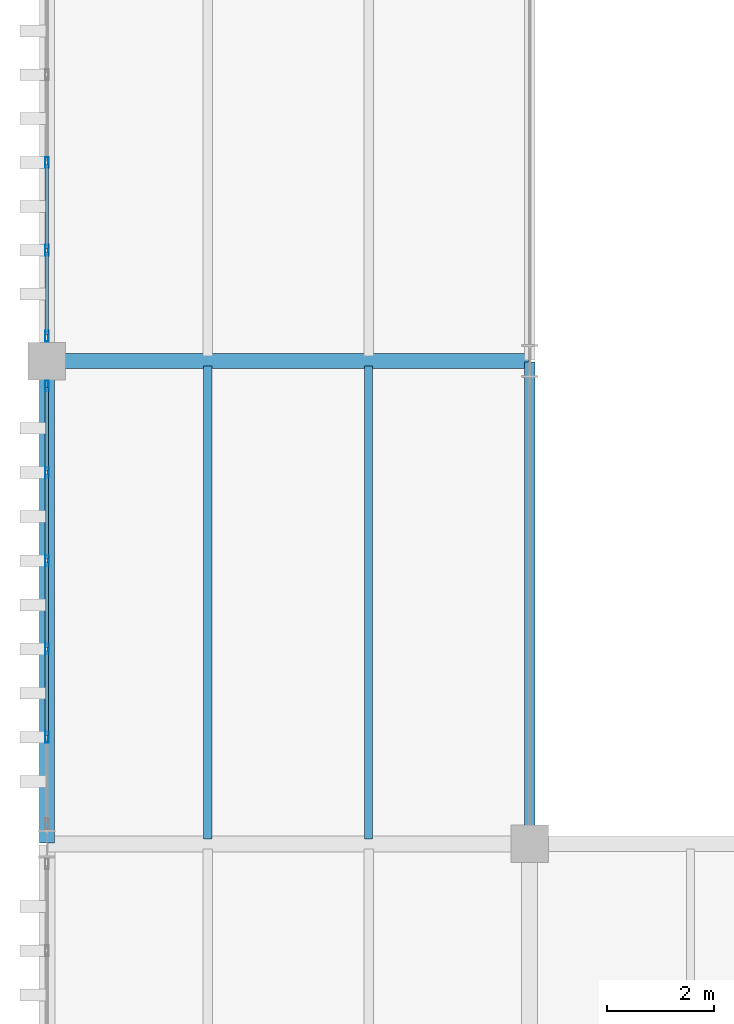
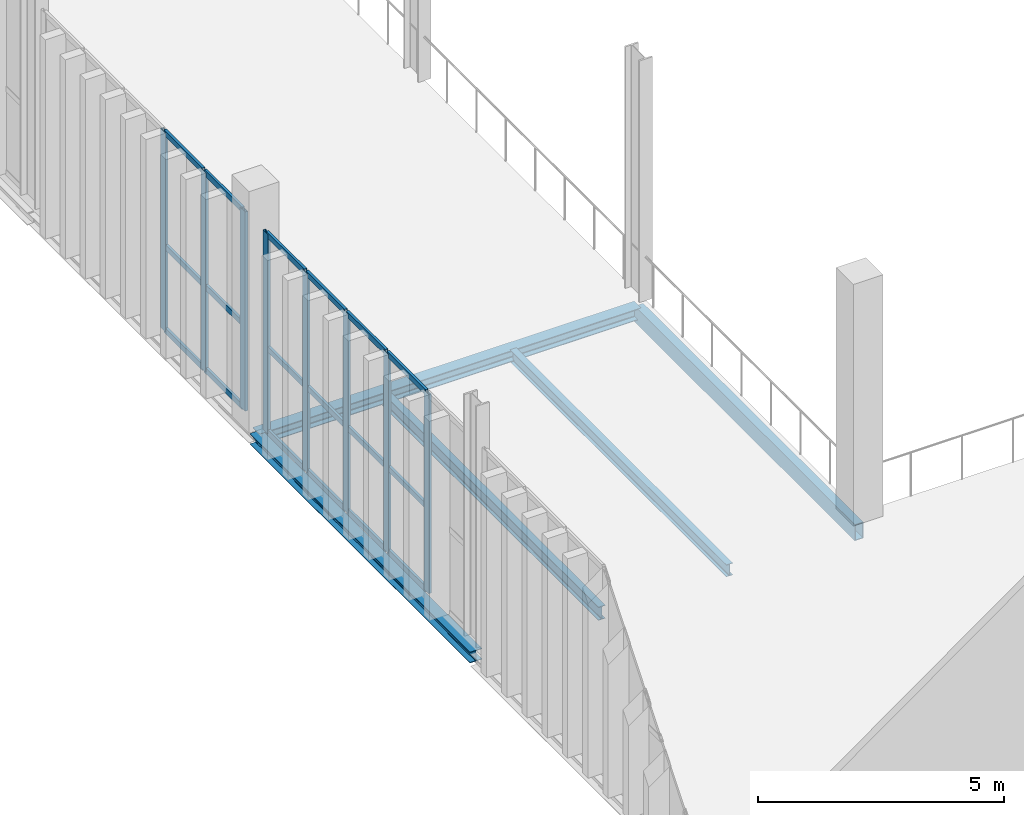
# One storey, part 73 of 211: 26 members, 5 beams, 2 elements without a shape of their own.
"""IFC4 building model written with IfcOpenShell, lengths in metres."""

from ifc_helpers import new_model, si_unit, direction, frame, origin, origin_2d, place, context, subcontext, project, spatial, hollow_rectangle, i_section, extrude, material, layer, layer_set, material_profile, profile_set, type_object, element, aggregate, save


model = new_model("IFC4")

# Units and contexts
model_context = context("Model", 3, precision=1e-05, world=origin(), true_north=direction((0.0, 1.0)))
body_context = subcontext(model_context, "Body", "Model", "MODEL_VIEW")
ifc_project = project(units=[si_unit("LENGTHUNIT", "METRE"), si_unit("AREAUNIT", "SQUARE_METRE"), si_unit("VOLUMEUNIT", "CUBIC_METRE"), si_unit("PLANEANGLEUNIT", "RADIAN"), si_unit("MASSUNIT", "GRAM", prefix="KILO")], contexts=[model_context])

# Site, building, storey
site_placement = place(None, origin())
site = spatial("IfcSite", under=ifc_project, at=site_placement, CompositionType="ELEMENT")
building_placement = place(site_placement, origin())
building = spatial("IfcBuilding", under=site, at=building_placement, Name="Barlavento Convention Centre", CompositionType="ELEMENT")
storey_placement = place(building_placement, frame((0.0, 0.0, 6.0)))
storey = spatial("IfcBuildingStorey", under=building, at=storey_placement, Name="L01", CompositionType="ELEMENT", Elevation=6.0)

# Curtain wall, members
ifc_material_1 = material(Name="Powder-coated aluminium and Low-E glass", Category="aluminium")
ifc_layer = layer(ifc_material_1, 0.179931640625)
ifc_layer_set = layer_set([ifc_layer], Name="ARC-CW-EXH-L01")
curtain_wall_type = type_object("IfcCurtainWallType", Name="ARC-CW-EXH-L01", PredefinedType="NOTDEFINED", material=ifc_layer_set)
curtain_wall_1_placement = place(storey_placement, origin())
curtain_wall_1 = element("IfcCurtainWall", 1, at=curtain_wall_1_placement, inside=storey, type_object=curtain_wall_type, Name="L01 unitised curtain wall CW04", PredefinedType="NOTDEFINED")
ifc_material_2 = material(Name="Powder-coated aluminium", Category="aluminium")
ifc_material_profile_1 = material_profile(ifc_material_2, hollow_rectangle(XDim=0.06494140625, YDim=0.199951171875, WallThickness=0.0048828125, at=origin_2d()), Name="AL-MULL 65x200x5")
ifc_profile_set_1 = profile_set([ifc_material_profile_1], Name="Powder-coated aluminium")
member_type_1 = type_object("IfcMemberType", Name="ARC-CWM-65X200", PredefinedType="MULLION", material=ifc_profile_set_1)
member_1_placement = place(storey_placement, frame((0.0, 64.987548828125, 0.0), z_axis=(0.0, 0.0, 1.0), x_axis=(-1.0, 0.0, 0.0)))
member_1 = element("IfcMember", 2, at=member_1_placement, type_object=member_type_1, Name="CW04 mullion 2", PredefinedType="MULLION", context=body_context, shape_type="SweptSolid", body=[
    extrude(hollow_rectangle(XDim=0.06494140625, YDim=0.199951171875, WallThickness=0.0048828125, at=origin_2d()), origin(), (0.0, 0.0, 1.0), 4.949951171875),
])
member_2_placement = place(storey_placement, frame((0.0, 66.63330078125, 0.0), z_axis=(0.0, 0.0, 1.0), x_axis=(-1.0, 0.0, 0.0)))
member_2 = element("IfcMember", 3, at=member_2_placement, type_object=member_type_1, Name="CW04 mullion 3", PredefinedType="MULLION", context=body_context, shape_type="SweptSolid", body=[
    extrude(hollow_rectangle(XDim=0.06494140625, YDim=0.199951171875, WallThickness=0.0048828125, at=origin_2d()), origin(), (0.0, 0.0, 1.0), 4.949951171875),
])
member_3_placement = place(storey_placement, frame((0.0, 68.27880859375, 0.0), z_axis=(0.0, 0.0, 1.0), x_axis=(-1.0, 0.0, 0.0)))
member_3 = element("IfcMember", 4, at=member_3_placement, type_object=member_type_1, Name="CW04 mullion 4", PredefinedType="MULLION", context=body_context, shape_type="SweptSolid", body=[
    extrude(hollow_rectangle(XDim=0.06494140625, YDim=0.199951171875, WallThickness=0.0048828125, at=origin_2d()), origin(), (0.0, 0.0, 1.0), 4.949951171875),
])
member_4_placement = place(storey_placement, frame((0.0, 69.92431640625, 0.0), z_axis=(0.0, 0.0, 1.0), x_axis=(-1.0, 0.0, 0.0)))
member_4 = element("IfcMember", 5, at=member_4_placement, type_object=member_type_1, Name="CW04 mullion 5", PredefinedType="MULLION", context=body_context, shape_type="SweptSolid", body=[
    extrude(hollow_rectangle(XDim=0.06494140625, YDim=0.199951171875, WallThickness=0.0048828125, at=origin_2d()), origin(), (0.0, 0.0, 1.0), 4.949951171875),
])
member_5_placement = place(storey_placement, frame((0.0, 71.53759765625, 0.0), z_axis=(0.0, 0.0, 1.0), x_axis=(-1.0, 0.0, 0.0)))
member_5 = element("IfcMember", 6, at=member_5_placement, type_object=member_type_1, Name="CW04 mullion 6", PredefinedType="MULLION", context=body_context, shape_type="SweptSolid", body=[
    extrude(hollow_rectangle(XDim=0.06494140625, YDim=0.199951171875, WallThickness=0.0048828125, at=origin_2d()), origin(), (0.0, 0.0, 1.0), 4.949951171875),
])

curtain_wall_2_placement = place(storey_placement, origin())
curtain_wall_2 = element("IfcCurtainWall", 7, at=curtain_wall_2_placement, inside=storey, type_object=curtain_wall_type, Name="L01 unitised curtain wall CW04", PredefinedType="NOTDEFINED")
member_6_placement = place(storey_placement, frame((0.0, 72.46240234375, 0.0), z_axis=(0.0, 0.0, 1.0), x_axis=(-1.0, 0.0, 0.0)))
member_6 = element("IfcMember", 8, at=member_6_placement, type_object=member_type_1, Name="CW04 mullion 1", PredefinedType="MULLION", context=body_context, shape_type="SweptSolid", body=[
    extrude(hollow_rectangle(XDim=0.06494140625, YDim=0.199951171875, WallThickness=0.0048828125, at=origin_2d()), origin(), (0.0, 0.0, 1.0), 4.949951171875),
])
member_7_placement = place(storey_placement, frame((0.0, 74.06591796875, 0.0), z_axis=(0.0, 0.0, 1.0), x_axis=(-1.0, 0.0, 0.0)))
member_7 = element("IfcMember", 9, at=member_7_placement, type_object=member_type_1, Name="CW04 mullion 2", PredefinedType="MULLION", context=body_context, shape_type="SweptSolid", body=[
    extrude(hollow_rectangle(XDim=0.06494140625, YDim=0.199951171875, WallThickness=0.0048828125, at=origin_2d()), origin(), (0.0, 0.0, 1.0), 4.949951171875),
])
member_8_placement = place(storey_placement, frame((0.0, 75.701904296875, 0.0), z_axis=(0.0, 0.0, 1.0), x_axis=(-1.0, 0.0, 0.0)))
member_8 = element("IfcMember", 10, at=member_8_placement, type_object=member_type_1, Name="CW04 mullion 3", PredefinedType="MULLION", context=body_context, shape_type="SweptSolid", body=[
    extrude(hollow_rectangle(XDim=0.06494140625, YDim=0.199951171875, WallThickness=0.0048828125, at=origin_2d()), origin(), (0.0, 0.0, 1.0), 4.949951171875),
])

# Member
ifc_material_profile_2 = material_profile(ifc_material_2, hollow_rectangle(XDim=0.06005859375, YDim=0.139892578125, WallThickness=0.00390625, at=origin_2d()), Name="AL-TRAN 60x140x4")
ifc_profile_set_2 = profile_set([ifc_material_profile_2], Name="Powder-coated aluminium")
member_type_2 = type_object("IfcMemberType", Name="ARC-CWT-60X140", PredefinedType="USERDEFINED", material=ifc_profile_set_2)
member_9_placement = place(storey_placement, frame((0.0, 65.02001953125, 0.030029296875), z_axis=(0.0, 1.0, 0.0), x_axis=(-1.0, 0.0, 0.0)))
member_9 = element("IfcMember", 11, at=member_9_placement, type_object=member_type_2, Name="CW04 transom 2.1", ObjectType="TRANSOM", PredefinedType="USERDEFINED", context=body_context, shape_type="SweptSolid", body=[
    extrude(hollow_rectangle(XDim=0.06005859375, YDim=0.139892578125, WallThickness=0.00390625, at=origin_2d()), origin(), (0.0, 0.0, 1.0), 1.58056640625),
])

member_10_placement = place(storey_placement, frame((0.0, 65.02001953125, 2.10009765625), z_axis=(0.0, 1.0, 0.0), x_axis=(-1.0, 0.0, 0.0)))
member_10 = element("IfcMember", 12, at=member_10_placement, type_object=member_type_2, Name="CW04 transom 2.2", ObjectType="TRANSOM", PredefinedType="USERDEFINED", context=body_context, shape_type="SweptSolid", body=[
    extrude(hollow_rectangle(XDim=0.06005859375, YDim=0.139892578125, WallThickness=0.00390625, at=origin_2d()), origin(), (0.0, 0.0, 1.0), 1.58056640625),
])

member_11_placement = place(storey_placement, frame((0.0, 65.02001953125, 4.919921875), z_axis=(0.0, 1.0, 0.0), x_axis=(-1.0, 0.0, 0.0)))
member_11 = element("IfcMember", 13, at=member_11_placement, type_object=member_type_2, Name="CW04 transom 2.3", ObjectType="TRANSOM", PredefinedType="USERDEFINED", context=body_context, shape_type="SweptSolid", body=[
    extrude(hollow_rectangle(XDim=0.06005859375, YDim=0.139892578125, WallThickness=0.00390625, at=origin_2d()), origin(), (0.0, 0.0, 1.0), 1.58056640625),
])

member_12_placement = place(storey_placement, frame((0.0, 66.665771484375, 0.030029296875), z_axis=(0.0, 1.0, 0.0), x_axis=(-1.0, 0.0, 0.0)))
member_12 = element("IfcMember", 14, at=member_12_placement, type_object=member_type_2, Name="CW04 transom 3.1", ObjectType="TRANSOM", PredefinedType="USERDEFINED", context=body_context, shape_type="SweptSolid", body=[
    extrude(hollow_rectangle(XDim=0.06005859375, YDim=0.139892578125, WallThickness=0.00390625, at=origin_2d()), origin(), (0.0, 0.0, 1.0), 1.58056640625),
])

member_13_placement = place(storey_placement, frame((0.0, 66.665771484375, 2.10009765625), z_axis=(0.0, 1.0, 0.0), x_axis=(-1.0, 0.0, 0.0)))
member_13 = element("IfcMember", 15, at=member_13_placement, type_object=member_type_2, Name="CW04 transom 3.2", ObjectType="TRANSOM", PredefinedType="USERDEFINED", context=body_context, shape_type="SweptSolid", body=[
    extrude(hollow_rectangle(XDim=0.06005859375, YDim=0.139892578125, WallThickness=0.00390625, at=origin_2d()), origin(), (0.0, 0.0, 1.0), 1.58056640625),
])

member_14_placement = place(storey_placement, frame((0.0, 66.665771484375, 4.919921875), z_axis=(0.0, 1.0, 0.0), x_axis=(-1.0, 0.0, 0.0)))
member_14 = element("IfcMember", 16, at=member_14_placement, type_object=member_type_2, Name="CW04 transom 3.3", ObjectType="TRANSOM", PredefinedType="USERDEFINED", context=body_context, shape_type="SweptSolid", body=[
    extrude(hollow_rectangle(XDim=0.06005859375, YDim=0.139892578125, WallThickness=0.00390625, at=origin_2d()), origin(), (0.0, 0.0, 1.0), 1.58056640625),
])

member_15_placement = place(storey_placement, frame((0.0, 68.311279296875, 0.030029296875), z_axis=(0.0, 1.0, 0.0), x_axis=(-1.0, 0.0, 0.0)))
member_15 = element("IfcMember", 17, at=member_15_placement, type_object=member_type_2, Name="CW04 transom 4.1", ObjectType="TRANSOM", PredefinedType="USERDEFINED", context=body_context, shape_type="SweptSolid", body=[
    extrude(hollow_rectangle(XDim=0.06005859375, YDim=0.139892578125, WallThickness=0.00390625, at=origin_2d()), origin(), (0.0, 0.0, 1.0), 1.58056640625),
])

member_16_placement = place(storey_placement, frame((0.0, 68.311279296875, 2.10009765625), z_axis=(0.0, 1.0, 0.0), x_axis=(-1.0, 0.0, 0.0)))
member_16 = element("IfcMember", 18, at=member_16_placement, type_object=member_type_2, Name="CW04 transom 4.2", ObjectType="TRANSOM", PredefinedType="USERDEFINED", context=body_context, shape_type="SweptSolid", body=[
    extrude(hollow_rectangle(XDim=0.06005859375, YDim=0.139892578125, WallThickness=0.00390625, at=origin_2d()), origin(), (0.0, 0.0, 1.0), 1.58056640625),
])

member_17_placement = place(storey_placement, frame((0.0, 68.311279296875, 4.919921875), z_axis=(0.0, 1.0, 0.0), x_axis=(-1.0, 0.0, 0.0)))
member_17 = element("IfcMember", 19, at=member_17_placement, type_object=member_type_2, Name="CW04 transom 4.3", ObjectType="TRANSOM", PredefinedType="USERDEFINED", context=body_context, shape_type="SweptSolid", body=[
    extrude(hollow_rectangle(XDim=0.06005859375, YDim=0.139892578125, WallThickness=0.00390625, at=origin_2d()), origin(), (0.0, 0.0, 1.0), 1.58056640625),
])

member_18_placement = place(storey_placement, frame((0.0, 69.956787109375, 0.030029296875), z_axis=(0.0, 1.0, 0.0), x_axis=(-1.0, 0.0, 0.0)))
member_18 = element("IfcMember", 20, at=member_18_placement, type_object=member_type_2, Name="CW04 transom 5.1", ObjectType="TRANSOM", PredefinedType="USERDEFINED", context=body_context, shape_type="SweptSolid", body=[
    extrude(hollow_rectangle(XDim=0.06005859375, YDim=0.139892578125, WallThickness=0.00390625, at=origin_2d()), origin(), (0.0, 0.0, 1.0), 1.548095703125),
])

member_19_placement = place(storey_placement, frame((0.0, 69.956787109375, 2.10009765625), z_axis=(0.0, 1.0, 0.0), x_axis=(-1.0, 0.0, 0.0)))
member_19 = element("IfcMember", 21, at=member_19_placement, type_object=member_type_2, Name="CW04 transom 5.2", ObjectType="TRANSOM", PredefinedType="USERDEFINED", context=body_context, shape_type="SweptSolid", body=[
    extrude(hollow_rectangle(XDim=0.06005859375, YDim=0.139892578125, WallThickness=0.00390625, at=origin_2d()), origin(), (0.0, 0.0, 1.0), 1.548095703125),
])

member_20_placement = place(storey_placement, frame((0.0, 69.956787109375, 4.919921875), z_axis=(0.0, 1.0, 0.0), x_axis=(-1.0, 0.0, 0.0)))
member_20 = element("IfcMember", 22, at=member_20_placement, type_object=member_type_2, Name="CW04 transom 5.3", ObjectType="TRANSOM", PredefinedType="USERDEFINED", context=body_context, shape_type="SweptSolid", body=[
    extrude(hollow_rectangle(XDim=0.06005859375, YDim=0.139892578125, WallThickness=0.00390625, at=origin_2d()), origin(), (0.0, 0.0, 1.0), 1.548095703125),
])

aggregate(curtain_wall_1, [member_1, member_2, member_3, member_4, member_5, member_9, member_10, member_11, member_12, member_13, member_14, member_15, member_16, member_17, member_18, member_19, member_20])

member_21_placement = place(storey_placement, frame((0.0, 72.4951171875, 0.030029296875), z_axis=(0.0, 1.0, 0.0), x_axis=(-1.0, 0.0, 0.0)))
member_21 = element("IfcMember", 23, at=member_21_placement, type_object=member_type_2, Name="CW04 transom 1.1", ObjectType="TRANSOM", PredefinedType="USERDEFINED", context=body_context, shape_type="SweptSolid", body=[
    extrude(hollow_rectangle(XDim=0.06005859375, YDim=0.139892578125, WallThickness=0.00390625, at=origin_2d()), origin(), (0.0, 0.0, 1.0), 1.538330078125),
])

member_22_placement = place(storey_placement, frame((0.0, 72.4951171875, 2.10009765625), z_axis=(0.0, 1.0, 0.0), x_axis=(-1.0, 0.0, 0.0)))
member_22 = element("IfcMember", 24, at=member_22_placement, type_object=member_type_2, Name="CW04 transom 1.2", ObjectType="TRANSOM", PredefinedType="USERDEFINED", context=body_context, shape_type="SweptSolid", body=[
    extrude(hollow_rectangle(XDim=0.06005859375, YDim=0.139892578125, WallThickness=0.00390625, at=origin_2d()), origin(), (0.0, 0.0, 1.0), 1.538330078125),
])

member_23_placement = place(storey_placement, frame((0.0, 72.4951171875, 4.919921875), z_axis=(0.0, 1.0, 0.0), x_axis=(-1.0, 0.0, 0.0)))
member_23 = element("IfcMember", 25, at=member_23_placement, type_object=member_type_2, Name="CW04 transom 1.3", ObjectType="TRANSOM", PredefinedType="USERDEFINED", context=body_context, shape_type="SweptSolid", body=[
    extrude(hollow_rectangle(XDim=0.06005859375, YDim=0.139892578125, WallThickness=0.00390625, at=origin_2d()), origin(), (0.0, 0.0, 1.0), 1.538330078125),
])

member_24_placement = place(storey_placement, frame((0.0, 74.098388671875, 0.030029296875), z_axis=(0.0, 1.0, 0.0), x_axis=(-1.0, 0.0, 0.0)))
member_24 = element("IfcMember", 26, at=member_24_placement, type_object=member_type_2, Name="CW04 transom 2.1", ObjectType="TRANSOM", PredefinedType="USERDEFINED", context=body_context, shape_type="SweptSolid", body=[
    extrude(hollow_rectangle(XDim=0.06005859375, YDim=0.139892578125, WallThickness=0.00390625, at=origin_2d()), origin(), (0.0, 0.0, 1.0), 1.571044921875),
])

member_25_placement = place(storey_placement, frame((0.0, 74.098388671875, 2.10009765625), z_axis=(0.0, 1.0, 0.0), x_axis=(-1.0, 0.0, 0.0)))
member_25 = element("IfcMember", 27, at=member_25_placement, type_object=member_type_2, Name="CW04 transom 2.2", ObjectType="TRANSOM", PredefinedType="USERDEFINED", context=body_context, shape_type="SweptSolid", body=[
    extrude(hollow_rectangle(XDim=0.06005859375, YDim=0.139892578125, WallThickness=0.00390625, at=origin_2d()), origin(), (0.0, 0.0, 1.0), 1.571044921875),
])

member_26_placement = place(storey_placement, frame((0.0, 74.098388671875, 4.919921875), z_axis=(0.0, 1.0, 0.0), x_axis=(-1.0, 0.0, 0.0)))
member_26 = element("IfcMember", 28, at=member_26_placement, type_object=member_type_2, Name="CW04 transom 2.3", ObjectType="TRANSOM", PredefinedType="USERDEFINED", context=body_context, shape_type="SweptSolid", body=[
    extrude(hollow_rectangle(XDim=0.06005859375, YDim=0.139892578125, WallThickness=0.00390625, at=origin_2d()), origin(), (0.0, 0.0, 1.0), 1.571044921875),
])

aggregate(curtain_wall_2, [member_6, member_7, member_8, member_21, member_22, member_23, member_24, member_25, member_26])

# Beams
ifc_material_3 = material(Name="Steel S355", Category="steel")
ifc_material_profile_3 = material_profile(ifc_material_3, i_section(OverallWidth=0.14990234375, OverallDepth=0.300048828125, WebThickness=0.007080078125, FlangeThickness=0.0107421875, FilletRadius=0.014892578125, at=origin_2d()), Name="IPE 300")
ifc_profile_set_3 = profile_set([ifc_material_profile_3], Name="Steel S355")
beam_type_1 = type_object("IfcBeamType", Name="STR-BM-JST-IPE300", PredefinedType="JOIST", material=ifc_profile_set_3)
beam_1_placement = place(storey_placement, frame((6.0, 63.094970703125, -0.429931640625), z_axis=(0.0, 1.0, 0.0), x_axis=(-1.0, 0.0, 0.0)))
element("IfcBeam", 29, at=beam_1_placement, inside=storey, type_object=beam_type_1, Name="L01 composite floor joist SJ07", PredefinedType="JOIST", context=body_context, shape_type="SweptSolid", body=[
    extrude(i_section(OverallWidth=0.14990234375, OverallDepth=0.300048828125, WebThickness=0.007080078125, FlangeThickness=0.0107421875, FilletRadius=0.014892578125, at=origin_2d()), origin(), (0.0, 0.0, 1.0), 8.81005859375),
])
ifc_material_profile_4 = material_profile(ifc_material_3, i_section(OverallWidth=0.159912109375, OverallDepth=0.330078125, WebThickness=0.007568359375, FlangeThickness=0.011474609375, FilletRadius=0.01806640625, at=origin_2d()), Name="IPE 330")
ifc_profile_set_4 = profile_set([ifc_material_profile_4], Name="Steel S355")
beam_type_2 = type_object("IfcBeamType", Name="STR-BM-JST-IPE330", PredefinedType="JOIST", material=ifc_profile_set_4)
beam_2_placement = place(storey_placement, frame((3.0, 63.094970703125, -0.445068359375), z_axis=(0.0, 1.0, 0.0), x_axis=(-1.0, 0.0, 0.0)))
element("IfcBeam", 30, at=beam_2_placement, inside=storey, type_object=beam_type_2, Name="L01 composite floor joist SJ06", PredefinedType="JOIST", context=body_context, shape_type="SweptSolid", body=[
    extrude(i_section(OverallWidth=0.159912109375, OverallDepth=0.330078125, WebThickness=0.007568359375, FlangeThickness=0.011474609375, FilletRadius=0.01806640625, at=origin_2d()), origin(), (0.0, 0.0, 1.0), 8.81005859375),
])
ifc_material_profile_5 = material_profile(ifc_material_3, i_section(OverallWidth=0.280029296875, OverallDepth=0.280029296875, WebThickness=0.010498046875, FlangeThickness=0.01806640625, FilletRadius=0.02392578125, at=origin_2d()), Name="HEB 280")
ifc_profile_set_5 = profile_set([ifc_material_profile_5], Name="Steel S355")
beam_type_3 = type_object("IfcBeamType", Name="STR-BM-PRI-HEB280", PredefinedType="BEAM", material=ifc_profile_set_5)
beam_3_placement = place(storey_placement, frame((0.02001953125, 72.0, -0.419921875), z_axis=(1.0, 0.0, 0.0), x_axis=(0.0, 1.0, 0.0)))
element("IfcBeam", 31, at=beam_3_placement, inside=storey, type_object=beam_type_3, Name="L01 primary girder BG15", PredefinedType="BEAM", context=body_context, shape_type="SweptSolid", body=[
    extrude(i_section(OverallWidth=0.280029296875, OverallDepth=0.280029296875, WebThickness=0.010498046875, FlangeThickness=0.01806640625, FilletRadius=0.02392578125, at=origin_2d()), origin(), (0.0, 0.0, 1.0), 8.9599609375),
])
ifc_material_profile_6 = material_profile(ifc_material_3, i_section(OverallWidth=0.280029296875, OverallDepth=0.27001953125, WebThickness=0.008056640625, FlangeThickness=0.012939453125, FilletRadius=0.02392578125, at=origin_2d()), Name="HEA 280")
ifc_profile_set_6 = profile_set([ifc_material_profile_6], Name="Steel S355")
beam_type_4 = type_object("IfcBeamType", Name="STR-BM-SPN-HEA280", PredefinedType="SPANDREL", material=ifc_profile_set_6)
beam_4_placement = place(storey_placement, frame((0.0, 63.02001953125, -0.4150390625), z_axis=(0.0, 1.0, 0.0), x_axis=(-1.0, 0.0, 0.0)))
element("IfcBeam", 32, at=beam_4_placement, inside=storey, type_object=beam_type_4, Name="L01 grid girder SP03", PredefinedType="SPANDREL", context=body_context, shape_type="SweptSolid", body=[
    extrude(i_section(OverallWidth=0.280029296875, OverallDepth=0.27001953125, WebThickness=0.008056640625, FlangeThickness=0.012939453125, FilletRadius=0.02392578125, at=origin_2d()), origin(), (0.0, 0.0, 1.0), 8.9599609375),
])
ifc_material_profile_7 = material_profile(ifc_material_3, hollow_rectangle(XDim=0.199951171875, YDim=0.39990234375, WallThickness=0.01611328125, at=origin_2d()), Name="RHS 400x200x16.0")
ifc_profile_set_7 = profile_set([ifc_material_profile_7], Name="Steel S355")
beam_type_5 = type_object("IfcBeamType", Name="STR-BM-SPN-RHS400", PredefinedType="SPANDREL", material=ifc_profile_set_7)
beam_5_placement = place(storey_placement, frame((9.0, 63.02001953125, -0.47998046875), z_axis=(0.0, 1.0, 0.0), x_axis=(-1.0, 0.0, 0.0)))
element("IfcBeam", 33, at=beam_5_placement, inside=storey, type_object=beam_type_5, Name="L01 grid girder SP06", PredefinedType="SPANDREL", context=body_context, shape_type="SweptSolid", body=[
    extrude(hollow_rectangle(XDim=0.199951171875, YDim=0.39990234375, WallThickness=0.01611328125, at=origin_2d()), origin(), (0.0, 0.0, 1.0), 8.9599609375),
])

save(model, "model.ifc")
